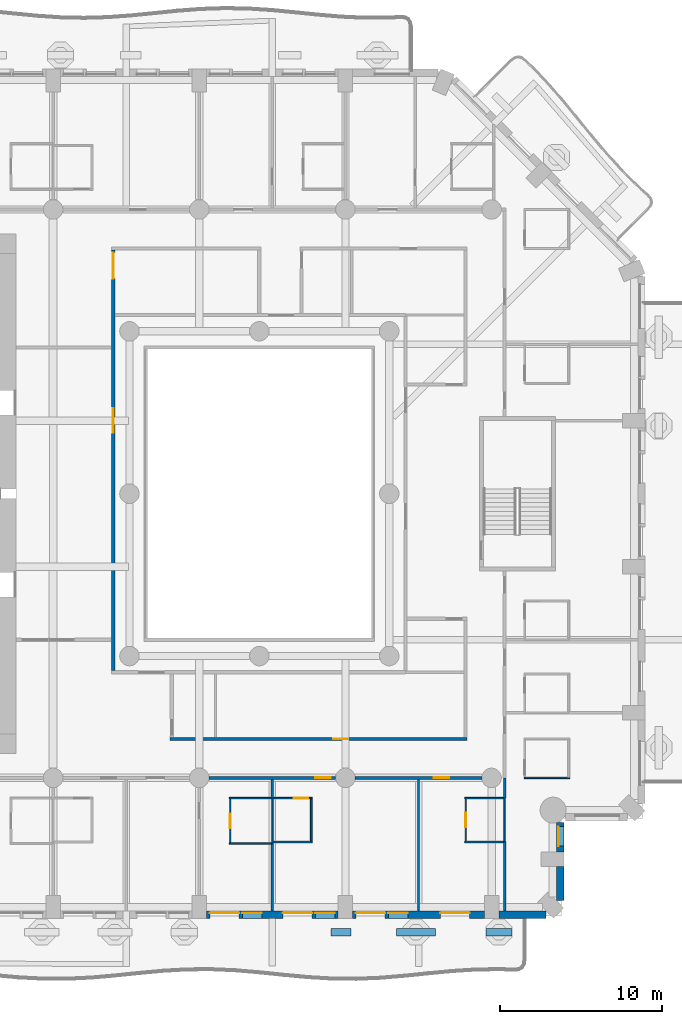
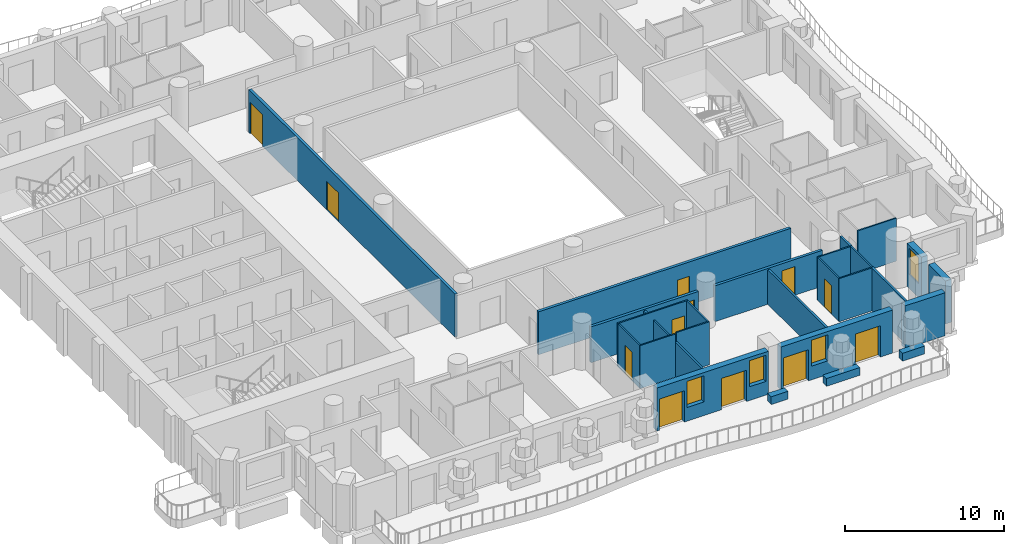
# One storey, part 5 of 20: 28 walls, 12 doors, 4 windows, 16 openings.
"""IFC4 building model written with IfcOpenShell, lengths in metres."""

import ifcopenshell
import ifcopenshell.guid

model = None  # the IFC model being written
_history = None  # IfcOwnerHistory: only IFC2X3 demands one
_inside = {}  # id of a spatial element -> (the spatial element, [elements in it])
_under = {}  # id of a project, library or spatial element -> (it, [spatial elements below it])
_declared = {}  # id of a project -> (the project, [libraries it declares])
_typed = {}  # id of a type object -> (the type object, [elements of that type])
_made_of = {}  # id of a material, layer set ... -> (it, [elements and type objects made of it])


def new_model(schema):
    """Start an empty IFC model of exactly this schema.

    Asked for "IFC4X3", IfcOpenShell would pick the latest addendum, in which some entities
    have other attributes; the version numbers below select the first issue.
    IFC2X3 requires an IfcOwnerHistory on every rooted entity: one is made here for all.
    """
    global model, _history
    if schema == "IFC4X3":
        model = ifcopenshell.file(schema_version=(4, 3, 0, 0))
    else:
        model = ifcopenshell.file(schema=schema)
    _inside.clear()
    _under.clear()
    _declared.clear()
    _typed.clear()
    _made_of.clear()
    _history = None
    if model.schema == "IFC2X3":
        org = make("IfcOrganization", Name="unknown")
        user = make(
            "IfcPersonAndOrganization",
            ThePerson=make("IfcPerson", FamilyName="unknown"),
            TheOrganization=org,
        )
        app = make(
            "IfcApplication",
            ApplicationDeveloper=org,
            Version="unknown",
            ApplicationFullName="unknown",
            ApplicationIdentifier="unknown",
        )
        _history = make(
            "IfcOwnerHistory",
            OwningUser=user,
            OwningApplication=app,
            ChangeAction="ADDED",
            CreationDate=0,
        )
    return model


def make(cls, **values):
    """One entity of the class cls with the attributes given. An attribute that is None is left unset."""
    return model.create_entity(
        cls, **{name: value for name, value in values.items() if value is not None}
    )


def rooted(cls, **values):
    """An entity with a GlobalId (a new one), such as an element, a storey or a relation."""
    return make(cls, GlobalId=ifcopenshell.guid.new(), OwnerHistory=_history, **values)


def si_unit(unit_type, name, prefix=None):
    """IfcSIUnit, for example si_unit("LENGTHUNIT", "METRE", prefix="MILLI")."""
    return make("IfcSIUnit", UnitType=unit_type, Prefix=prefix, Name=name)


def assignment(units):
    """IfcUnitAssignment: the units of a project."""
    return None if units is None else make("IfcUnitAssignment", Units=units)


def point(xyz):
    """IfcCartesianPoint."""
    return None if xyz is None else make("IfcCartesianPoint", Coordinates=xyz)


def direction(xyz):
    """IfcDirection."""
    return None if xyz is None else make("IfcDirection", DirectionRatios=xyz)


def frame(location, z_axis=None, x_axis=None):
    """IfcAxis2Placement3D, a coordinate frame: its origin and axes. An axis left out is left unset."""
    return make(
        "IfcAxis2Placement3D",
        Location=point(location),
        Axis=direction(z_axis),
        RefDirection=direction(x_axis),
    )


def frame_2d(location, x_axis=None):
    """IfcAxis2Placement2D, a coordinate frame in the plane: its origin and x axis."""
    return make(
        "IfcAxis2Placement2D", Location=point(location), RefDirection=direction(x_axis)
    )


def origin():
    """The frame at (0, 0, 0) with its axes left unset."""
    return frame((0.0, 0.0, 0.0))


def place(relative_to, where):
    """IfcLocalPlacement: puts the frame where relative to a parent placement (None: the world)."""
    return make(
        "IfcLocalPlacement", PlacementRelTo=relative_to, RelativePlacement=where
    )


def context(
    kind, dimensions, precision=None, world=None, true_north=None, identifier=None
):
    """IfcGeometricRepresentationContext, for example the 3D "Model" context."""
    return make(
        "IfcGeometricRepresentationContext",
        ContextIdentifier=identifier,
        ContextType=kind,
        CoordinateSpaceDimension=dimensions,
        Precision=precision,
        WorldCoordinateSystem=world,
        TrueNorth=true_north,
    )


def subcontext(parent, identifier, kind, view, scale=None):
    """IfcGeometricRepresentationSubContext, for example "Body" below "Model"."""
    return make(
        "IfcGeometricRepresentationSubContext",
        ContextIdentifier=identifier,
        ContextType=kind,
        ParentContext=parent,
        TargetScale=scale,
        TargetView=view,
    )


def project(units=None, contexts=None):
    """IfcProject with its units and contexts."""
    return rooted(
        "IfcProject",
        Name="project",
        RepresentationContexts=contexts,
        UnitsInContext=assignment(units),
    )


def spatial(cls, under=None, at=None, **own):
    """A site, building, storey or space (cls), placed at a placement, below another one or the project."""
    s = rooted(cls, ObjectPlacement=at, **own)
    if under is not None:
        _under.setdefault(under.id(), (under, []))[1].append(s)
    return s


def profile(cls, at=None, kind="AREA", **sizes):
    """A parametric profile (cls). Its sizes go by their IFC names, for example OverallWidth=200.0."""
    return make(cls, ProfileType=kind, Position=at, **sizes)


def rectangle(**sizes):
    """IfcRectangleProfileDef."""
    return profile("IfcRectangleProfileDef", **sizes)


def extrude(swept, where, along, depth):
    """IfcExtrudedAreaSolid: the profile swept, set in the frame where, extruded along a direction by depth."""
    return make(
        "IfcExtrudedAreaSolid",
        SweptArea=swept,
        Position=where,
        ExtrudedDirection=direction(along),
        Depth=depth,
    )


def shape(context_of_items, identifier, shape_type, items):
    """IfcShapeRepresentation: the items that make up one representation, for example the "Body"."""
    return make(
        "IfcShapeRepresentation",
        ContextOfItems=context_of_items,
        RepresentationIdentifier=identifier,
        RepresentationType=shape_type,
        Items=items,
    )


def material(Name=None, Category=None):
    """IfcMaterial."""
    return make("IfcMaterial", Name=Name, Category=Category)


def layer(
    of_material, thickness, ventilated=None, Name=None, Category=None, Priority=None
):
    """IfcMaterialLayer: one layer of a wall or slab, of a material (None: an air gap)."""
    return make(
        "IfcMaterialLayer",
        Material=of_material,
        LayerThickness=thickness,
        IsVentilated=ventilated,
        Name=Name,
        Category=Category,
        Priority=Priority,
    )


def layer_set(layers, Name=None):
    """IfcMaterialLayerSet."""
    return make("IfcMaterialLayerSet", MaterialLayers=layers, LayerSetName=Name)


def made_of(thing, what):
    """Note that an element or type object is made of a material, layer set ...; save() writes the relation."""
    if what is not None:
        _made_of.setdefault(what.id(), (what, []))[1].append(thing)
    return thing


def type_object(cls, material=None, **own):
    """A type object (cls), such as IfcWallType, which elements share."""
    return made_of(rooted(cls, **own), material)


def element(
    cls,
    number,
    at=None,
    inside=None,
    cuts=None,
    type_object=None,
    material=None,
    context=None,
    identifier="Body",
    shape_type=None,
    held_by="IfcProductDefinitionShape",
    body=None,
    shapes=None,
    **own,
):
    """One element of the class cls, such as IfcWall. Its Tag is "e" and its number.

    at: its placement. inside: the storey or other place that contains it. cuts: it is an
    opening in that element (IfcRelVoidsElement). A single representation is given by context,
    identifier, shape_type and body (its items); several are given by shapes. held_by: the class
    of the entity that holds the representations. save() writes the other relations.
    """
    e = rooted(cls, Tag="e%d" % number, ObjectPlacement=at, **own)
    if body is not None:
        shapes = [shape(context, identifier, shape_type, body)]
    if shapes is not None:
        e.Representation = make(held_by, Representations=shapes)
    if inside is not None:
        _inside.setdefault(inside.id(), (inside, []))[1].append(e)
    if cuts is not None:
        rooted(
            "IfcRelVoidsElement", RelatingBuildingElement=cuts, RelatedOpeningElement=e
        )
    if type_object is not None:
        _typed.setdefault(type_object.id(), (type_object, []))[1].append(e)
    return made_of(e, material)


def fill(opening, filler):
    """IfcRelFillsElement: the door or window that sits in an opening."""
    return rooted(
        "IfcRelFillsElement",
        RelatingOpeningElement=opening,
        RelatedBuildingElement=filler,
    )


def aggregate(whole, parts):
    """IfcRelAggregates: a whole, such as a stair, and the parts it consists of."""
    return rooted("IfcRelAggregates", RelatingObject=whole, RelatedObjects=parts)


def save(model, path):
    """Write the relations noted so far, then the file.

    IfcRelAggregates (storeys below a building ...), IfcRelContainedInSpatialStructure (elements
    in a storey), IfcRelDefinesByType, IfcRelAssociatesMaterial and IfcRelDeclares: one each for
    every whole, place, type object, material and project.
    """
    for whole, parts in _under.values():
        aggregate(whole, parts)
    for where, things in _inside.values():
        rooted(
            "IfcRelContainedInSpatialStructure",
            RelatedElements=things,
            RelatingStructure=where,
        )
    for kind, things in _typed.values():
        rooted("IfcRelDefinesByType", RelatedObjects=things, RelatingType=kind)
    for what, things in _made_of.values():
        rooted("IfcRelAssociatesMaterial", RelatedObjects=things, RelatingMaterial=what)
    for by, libraries in _declared.values():
        rooted("IfcRelDeclares", RelatingContext=by, RelatedDefinitions=libraries)
    model.write(path)


model = new_model("IFC4")

# Units and contexts
model_context = context("Model", 3, precision=1e-05, world=origin(), true_north=direction((0.0, 1.0)))
body_context = subcontext(model_context, "Body", "Model", "MODEL_VIEW")
ifc_project = project(units=[si_unit("LENGTHUNIT", "METRE"), si_unit("AREAUNIT", "SQUARE_METRE"), si_unit("VOLUMEUNIT", "CUBIC_METRE"), si_unit("PLANEANGLEUNIT", "RADIAN"), si_unit("MASSUNIT", "GRAM", prefix="KILO")], contexts=[model_context])

# Site, building, storey
site_placement = place(None, origin())
site = spatial("IfcSite", under=ifc_project, at=site_placement, CompositionType="ELEMENT")
building_placement = place(site_placement, origin())
building = spatial("IfcBuilding", under=site, at=building_placement, Name="Cypress Arch Tower", CompositionType="ELEMENT")
storey_placement = place(building_placement, frame((0.0, 0.0, 84.300048828125)))
storey = spatial("IfcBuildingStorey", under=building, at=storey_placement, Name="L15", CompositionType="ELEMENT", Elevation=84.300048828125)

# Walls
ifc_material_1 = material(Name="Concrete C40/50, waterproofed", Category="concrete")
ifc_layer_1 = layer(ifc_material_1, 0.449951171875)
ifc_layer_set_1 = layer_set([ifc_layer_1], Name="Balcony planter wall PW450")
wall_type_1 = type_object("IfcWallType", Name="Balcony planter wall PW450", PredefinedType="SOLIDWALL", material=ifc_layer_set_1)
wall_1_placement = place(storey_placement, frame((5.419921875, -27.0, 0.0), z_axis=(0.0, 0.0, 1.0), x_axis=(1.0, 0.0, 0.0)))
element("IfcWall", 1, at=wall_1_placement, inside=storey, type_object=wall_type_1, Name="Balcony planter wall L15-A03.5", PredefinedType="SOLIDWALL", context=body_context, shape_type="SweptSolid", body=[
    extrude(rectangle(XDim=1.22998046875, YDim=0.449951171875, at=frame_2d((0.614990234375, 0.0))), origin(), (0.0, 0.0, 1.0), 0.599853515625),
])
wall_2_placement = place(storey_placement, frame((9.429931640625, -27.0, 0.0), z_axis=(0.0, 0.0, 1.0), x_axis=(1.0, 0.0, 0.0)))
element("IfcWall", 2, at=wall_2_placement, inside=storey, type_object=wall_type_1, Name="Balcony planter wall L15-A03.6", PredefinedType="SOLIDWALL", context=body_context, shape_type="SweptSolid", body=[
    extrude(rectangle(XDim=2.420166015625, YDim=0.449951171875, at=frame_2d((1.2099609375, 0.0))), origin(), (0.0, 0.0, 1.0), 0.599853515625),
])
wall_3_placement = place(storey_placement, frame((14.949951171875, -27.0, 0.0), z_axis=(0.0, 0.0, 1.0), x_axis=(1.0, 0.0, 0.0)))
element("IfcWall", 3, at=wall_3_placement, inside=storey, type_object=wall_type_1, Name="Balcony planter wall L15-A03.7", PredefinedType="SOLIDWALL", context=body_context, shape_type="SweptSolid", body=[
    extrude(rectangle(XDim=1.60009765625, YDim=0.449951171875, at=frame_2d((0.800048828125, 0.0))), origin(), (0.0, 0.0, 1.0), 0.599853515625),
])

# Wall, openings, doors, windows
ifc_material_2 = material(Name="Brick (red buff blend)", Category="masonry")
ifc_layer_2 = layer(ifc_material_2, 0.449951171875)
ifc_layer_set_2 = layer_set([ifc_layer_2], Name="Brick pier and spandrel wall BW450")
wall_type_2 = type_object("IfcWallType", Name="Brick pier and spandrel wall BW450", PredefinedType="SOLIDWALL", material=ifc_layer_set_2)
wall_4_placement = place(storey_placement, frame((-2.25, -25.925048828125, 0.0), z_axis=(0.0, 0.0, 1.0), x_axis=(1.0, 0.0, 0.0)))
wall_4 = element("IfcWall", 4, at=wall_4_placement, inside=storey, type_object=wall_type_2, Name="Brick wall L15 A03.3", PredefinedType="SOLIDWALL", context=body_context, shape_type="SweptSolid", body=[
    extrude(rectangle(XDim=8.10009765625, YDim=0.449951171875, at=frame_2d((4.050048828125, 0.0))), origin(), (0.0, 0.0, 1.0), 3.300048828125),
])
opening_1_placement = place(wall_4_placement, frame((0.199951171875, 0.0, 0.0)))
opening_1 = element("IfcOpeningElement", 5, at=opening_1_placement, cuts=wall_4, Name="Opening D-L15-A03.3.1", PredefinedType="OPENING", context=body_context, shape_type="SweptSolid", body=[
    extrude(rectangle(XDim=1.800048828125, YDim=2.39990234375, at=frame_2d((0.89990234375, 1.199951171875))), frame((0.0, 0.23486328125, 0.0), z_axis=(0.0, -1.0, 0.0), x_axis=(1.0, 0.0, 0.0)), (0.0, 0.0, 1.0), 0.469970703125),
])
opening_2_placement = place(wall_4_placement, frame((2.199951171875, 0.0, 1.050048828125)))
opening_2 = element("IfcOpeningElement", 6, at=opening_2_placement, cuts=wall_4, Name="Opening W120HD", PredefinedType="OPENING", context=body_context, shape_type="SweptSolid", body=[
    extrude(rectangle(XDim=1.199951171875, YDim=2.0, at=frame_2d((0.60009765625, 1.0))), frame((0.0, 0.23486328125, 0.0), z_axis=(0.0, -1.0, 0.0), x_axis=(1.0, 0.0, 0.0)), (0.0, 0.0, 1.0), 0.469970703125),
])
opening_3_placement = place(wall_4_placement, frame((4.699951171875, 0.0, 0.0)))
opening_3 = element("IfcOpeningElement", 7, at=opening_3_placement, cuts=wall_4, Name="Opening D-L15-A03.3.2", PredefinedType="OPENING", context=body_context, shape_type="SweptSolid", body=[
    extrude(rectangle(XDim=1.800048828125, YDim=2.39990234375, at=frame_2d((0.89990234375, 1.199951171875))), frame((0.0, 0.23486328125, 0.0), z_axis=(0.0, -1.0, 0.0), x_axis=(1.0, 0.0, 0.0)), (0.0, 0.0, 1.0), 0.469970703125),
])
opening_4_placement = place(wall_4_placement, frame((6.699951171875, 0.0, 1.050048828125)))
opening_4 = element("IfcOpeningElement", 8, at=opening_4_placement, cuts=wall_4, Name="Opening W120HD", PredefinedType="OPENING", context=body_context, shape_type="SweptSolid", body=[
    extrude(rectangle(XDim=1.199951171875, YDim=2.0, at=frame_2d((0.60009765625, 1.0))), frame((0.0, 0.23486328125, 0.0), z_axis=(0.0, -1.0, 0.0), x_axis=(1.0, 0.0, 0.0)), (0.0, 0.0, 1.0), 0.469970703125),
])
ifc_material_3 = material(Name="Anodised aluminium, bronze finish, laminated low-emissivity double glazing, large-missile impact rated", Category="aluminium")
door_type_1 = type_object("IfcDoorType", Name="Balcony sliding door 1800x2400", OperationType="SLIDING_TO_LEFT", PredefinedType="DOOR", material=ifc_material_3)
door_1_placement = place(opening_1_placement, origin())
door_1 = element("IfcDoor", 9, at=door_1_placement, inside=storey, type_object=door_type_1, Name="Balcony door L15 A03.3.1", OperationType="SLIDING_TO_LEFT", OverallHeight=2.39990234375, OverallWidth=1.800048828125, PredefinedType="DOOR", context=body_context, shape_type="SweptSolid", body=[
    extrude(rectangle(XDim=1.800048828125, YDim=2.39990234375, at=frame_2d((0.89990234375, 1.199951171875))), frame((0.0, 0.1298828125, 0.0), z_axis=(0.0, -1.0, 0.0), x_axis=(1.0, 0.0, 0.0)), (0.0, 0.0, 1.0), 0.050048828125),
])
fill(opening_1, door_1)
door_2_placement = place(opening_3_placement, origin())
door_2 = element("IfcDoor", 10, at=door_2_placement, inside=storey, type_object=door_type_1, Name="Balcony door L15 A03.3.2", OperationType="SLIDING_TO_LEFT", OverallHeight=2.39990234375, OverallWidth=1.800048828125, PredefinedType="DOOR", context=body_context, shape_type="SweptSolid", body=[
    extrude(rectangle(XDim=1.800048828125, YDim=2.39990234375, at=frame_2d((0.89990234375, 1.199951171875))), frame((0.0, 0.1298828125, 0.0), z_axis=(0.0, -1.0, 0.0), x_axis=(1.0, 0.0, 0.0)), (0.0, 0.0, 1.0), 0.050048828125),
])
fill(opening_3, door_2)
ifc_material_4 = material(Name="Anodised aluminium, bronze finish, laminated low-emissivity double glazing, large-missile impact rated", Category="aluminium")
window_type_1 = type_object("IfcWindowType", Name="Window Hotel 1200x2000 debris-rated", PartitioningType="SINGLE_PANEL", PredefinedType="WINDOW", material=ifc_material_4)
window_1_placement = place(opening_2_placement, origin())
window_1 = element("IfcWindow", 11, at=window_1_placement, inside=storey, type_object=window_type_1, Name="Window L15 A03.3.1", OverallHeight=2.0, OverallWidth=1.199951171875, PartitioningType="SINGLE_PANEL", PredefinedType="WINDOW", context=body_context, shape_type="SweptSolid", body=[
    extrude(rectangle(XDim=1.199951171875, YDim=2.0, at=frame_2d((0.60009765625, 1.0))), frame((0.0, 0.135009765625, 0.0), z_axis=(0.0, -1.0, 0.0), x_axis=(1.0, 0.0, 0.0)), (0.0, 0.0, 1.0), 0.06005859375),
])
fill(opening_2, window_1)
window_2_placement = place(opening_4_placement, origin())
window_2 = element("IfcWindow", 12, at=window_2_placement, inside=storey, type_object=window_type_1, Name="Window L15 A03.3.2", OverallHeight=2.0, OverallWidth=1.199951171875, PartitioningType="SINGLE_PANEL", PredefinedType="WINDOW", context=body_context, shape_type="SweptSolid", body=[
    extrude(rectangle(XDim=1.199951171875, YDim=2.0, at=frame_2d((0.60009765625, 1.0))), frame((0.0, 0.135009765625, 0.0), z_axis=(0.0, -1.0, 0.0), x_axis=(1.0, 0.0, 0.0)), (0.0, 0.0, 1.0), 0.06005859375),
])
fill(opening_4, window_2)

# Wall, openings, doors, window
wall_5_placement = place(storey_placement, frame((6.75, -25.925048828125, 0.0), z_axis=(0.0, 0.0, 1.0), x_axis=(1.0, 0.0, 0.0)))
wall_5 = element("IfcWall", 13, at=wall_5_placement, inside=storey, type_object=wall_type_2, Name="Brick wall L15 A03.4", PredefinedType="SOLIDWALL", context=body_context, shape_type="SweptSolid", body=[
    extrude(rectangle(XDim=8.10009765625, YDim=0.449951171875, at=frame_2d((4.050048828125, 0.0))), origin(), (0.0, 0.0, 1.0), 3.300048828125),
])
opening_5_placement = place(wall_5_placement, frame((0.199951171875, 0.0, 0.0)))
opening_5 = element("IfcOpeningElement", 14, at=opening_5_placement, cuts=wall_5, Name="Opening D-L15-A03.4.1", PredefinedType="OPENING", context=body_context, shape_type="SweptSolid", body=[
    extrude(rectangle(XDim=1.800048828125, YDim=2.39990234375, at=frame_2d((0.89990234375, 1.199951171875))), frame((0.0, 0.23486328125, 0.0), z_axis=(0.0, -1.0, 0.0), x_axis=(1.0, 0.0, 0.0)), (0.0, 0.0, 1.0), 0.469970703125),
])
opening_6_placement = place(wall_5_placement, frame((2.199951171875, 0.0, 1.050048828125)))
opening_6 = element("IfcOpeningElement", 15, at=opening_6_placement, cuts=wall_5, Name="Opening W120HD", PredefinedType="OPENING", context=body_context, shape_type="SweptSolid", body=[
    extrude(rectangle(XDim=1.199951171875, YDim=2.0, at=frame_2d((0.60009765625, 1.0))), frame((0.0, 0.23486328125, 0.0), z_axis=(0.0, -1.0, 0.0), x_axis=(1.0, 0.0, 0.0)), (0.0, 0.0, 1.0), 0.469970703125),
])
opening_7_placement = place(wall_5_placement, frame((5.39990234375, 0.0, 0.0)))
opening_7 = element("IfcOpeningElement", 16, at=opening_7_placement, cuts=wall_5, Name="Opening D-L15-A03.4.2", PredefinedType="OPENING", context=body_context, shape_type="SweptSolid", body=[
    extrude(rectangle(XDim=1.800048828125, YDim=2.39990234375, at=frame_2d((0.89990234375, 1.199951171875))), frame((0.0, 0.23486328125, 0.0), z_axis=(0.0, -1.0, 0.0), x_axis=(1.0, 0.0, 0.0)), (0.0, 0.0, 1.0), 0.469970703125),
])
door_3_placement = place(opening_5_placement, origin())
door_3 = element("IfcDoor", 17, at=door_3_placement, inside=storey, type_object=door_type_1, Name="Balcony door L15 A03.4.1", OperationType="SLIDING_TO_LEFT", OverallHeight=2.39990234375, OverallWidth=1.800048828125, PredefinedType="DOOR", context=body_context, shape_type="SweptSolid", body=[
    extrude(rectangle(XDim=1.800048828125, YDim=2.39990234375, at=frame_2d((0.89990234375, 1.199951171875))), frame((0.0, 0.1298828125, 0.0), z_axis=(0.0, -1.0, 0.0), x_axis=(1.0, 0.0, 0.0)), (0.0, 0.0, 1.0), 0.050048828125),
])
fill(opening_5, door_3)
door_4_placement = place(opening_7_placement, origin())
door_4 = element("IfcDoor", 18, at=door_4_placement, inside=storey, type_object=door_type_1, Name="Balcony door L15 A03.4.2", OperationType="SLIDING_TO_LEFT", OverallHeight=2.39990234375, OverallWidth=1.800048828125, PredefinedType="DOOR", context=body_context, shape_type="SweptSolid", body=[
    extrude(rectangle(XDim=1.800048828125, YDim=2.39990234375, at=frame_2d((0.89990234375, 1.199951171875))), frame((0.0, 0.1298828125, 0.0), z_axis=(0.0, -1.0, 0.0), x_axis=(1.0, 0.0, 0.0)), (0.0, 0.0, 1.0), 0.050048828125),
])
fill(opening_7, door_4)
window_3_placement = place(opening_6_placement, origin())
window_3 = element("IfcWindow", 19, at=window_3_placement, inside=storey, type_object=window_type_1, Name="Window L15 A03.4.1", OverallHeight=2.0, OverallWidth=1.199951171875, PartitioningType="SINGLE_PANEL", PredefinedType="WINDOW", context=body_context, shape_type="SweptSolid", body=[
    extrude(rectangle(XDim=1.199951171875, YDim=2.0, at=frame_2d((0.60009765625, 1.0))), frame((0.0, 0.135009765625, 0.0), z_axis=(0.0, -1.0, 0.0), x_axis=(1.0, 0.0, 0.0)), (0.0, 0.0, 1.0), 0.06005859375),
])
fill(opening_6, window_3)

# Walls
wall_6_placement = place(storey_placement, frame((15.75, -25.925048828125, 0.0), z_axis=(0.0, 0.0, 1.0), x_axis=(1.0, 0.0, 0.0)))
element("IfcWall", 20, at=wall_6_placement, inside=storey, type_object=wall_type_2, Name="Brick wall L15 A03.5", PredefinedType="SOLIDWALL", context=body_context, shape_type="SweptSolid", body=[
    extrude(rectangle(XDim=2.91357421875, YDim=0.449951171875, at=frame_2d((1.456787109375, 0.0))), origin(), (0.0, 0.0, 1.0), 3.300048828125),
])
wall_7_placement = place(storey_placement, frame((19.52490234375, -25.063720703125, 0.0), z_axis=(0.0, 0.0, 1.0), x_axis=(0.0, 1.0, 0.0)))
element("IfcWall", 21, at=wall_7_placement, inside=storey, type_object=wall_type_2, Name="Brick wall L15 A04.0", PredefinedType="SOLIDWALL", context=body_context, shape_type="SweptSolid", body=[
    extrude(rectangle(XDim=2.11376953125, YDim=0.449951171875, at=frame_2d((1.056884765625, 0.0))), origin(), (0.0, 0.0, 1.0), 3.300048828125),
])

# Wall, opening, window
wall_8_placement = place(storey_placement, frame((19.52490234375, -22.050048828125, 0.0), z_axis=(0.0, 0.0, 1.0), x_axis=(0.0, 1.0, 0.0)))
wall_8 = element("IfcWall", 22, at=wall_8_placement, inside=storey, type_object=wall_type_2, Name="Brick wall L15 A04.1", PredefinedType="SOLIDWALL", context=body_context, shape_type="SweptSolid", body=[
    extrude(rectangle(XDim=1.79150390625, YDim=0.449951171875, at=frame_2d((0.895751953125, 0.0))), origin(), (0.0, 0.0, 1.0), 3.300048828125),
])
opening_8_placement = place(wall_8_placement, frame((0.35009765625, 0.0, 1.050048828125)))
opening_8 = element("IfcOpeningElement", 23, at=opening_8_placement, cuts=wall_8, Name="Opening W120H", PredefinedType="OPENING", context=body_context, shape_type="SweptSolid", body=[
    extrude(rectangle(XDim=1.199951171875, YDim=2.0, at=frame_2d((0.60009765625, 1.0))), frame((0.0, 0.23486328125, 0.0), z_axis=(0.0, -1.0, 0.0), x_axis=(1.0, 0.0, 0.0)), (0.0, 0.0, 1.0), 0.469970703125),
])
ifc_material_5 = material(Name="Anodised aluminium, bronze finish, clear low-emissivity double glazing", Category="aluminium")
window_type_2 = type_object("IfcWindowType", Name="Window Hotel 1200x2000", PartitioningType="SINGLE_PANEL", PredefinedType="WINDOW", material=ifc_material_5)
window_4_placement = place(opening_8_placement, origin())
window_4 = element("IfcWindow", 24, at=window_4_placement, inside=storey, type_object=window_type_2, Name="Window L15 A04.1.1", OverallHeight=2.0, OverallWidth=1.199951171875, PartitioningType="SINGLE_PANEL", PredefinedType="WINDOW", context=body_context, shape_type="SweptSolid", body=[
    extrude(rectangle(XDim=1.199951171875, YDim=2.0, at=frame_2d((0.60009765625, 1.0))), frame((0.0, 0.135009765625, 0.0), z_axis=(0.0, -1.0, 0.0), x_axis=(1.0, 0.0, 0.0)), (0.0, 0.0, 1.0), 0.06005859375),
])
fill(opening_8, window_4)

# Wall, opening, door
ifc_material_6 = material(Name="Concrete blockwork, plastered, rated", Category="masonry")
ifc_layer_3 = layer(ifc_material_6, 0.199951171875)
ifc_layer_set_3 = layer_set([ifc_layer_3], Name="Corridor wall FW200")
wall_type_3 = type_object("IfcWallType", Name="Corridor wall FW200", PredefinedType="PARTITIONING", material=ifc_layer_set_3)
wall_9_placement = place(storey_placement, frame((-2.10009765625, -17.5, 0.0), z_axis=(0.0, 0.0, 1.0), x_axis=(1.0, 0.0, 0.0)))
wall_9 = element("IfcWall", 25, at=wall_9_placement, inside=storey, type_object=wall_type_3, Name="Corridor wall", PredefinedType="PARTITIONING", context=body_context, shape_type="SweptSolid", body=[
    extrude(rectangle(XDim=7.800048828125, YDim=0.199951171875, at=frame_2d((3.89990234375, 0.0))), origin(), (0.0, 0.0, 1.0), 2.75),
])
opening_9_placement = place(wall_9_placement, frame((6.550048828125, 0.0, 0.0)))
opening_9 = element("IfcOpeningElement", 26, at=opening_9_placement, cuts=wall_9, Name="Opening D02", PredefinedType="OPENING", context=body_context, shape_type="SweptSolid", body=[
    extrude(rectangle(XDim=0.949951171875, YDim=2.199951171875, at=frame_2d((0.47509765625, 1.10009765625))), frame((0.0, 0.10986328125, 0.0), z_axis=(0.0, -1.0, 0.0), x_axis=(1.0, 0.0, 0.0)), (0.0, 0.0, 1.0), 0.219970703125),
])
ifc_material_7 = material(Name="Timber flush door, fire resisting", Category="wood")
door_type_2 = type_object("IfcDoorType", Name="Room door D02 950x2200", OperationType="SINGLE_SWING_LEFT", PredefinedType="DOOR", material=ifc_material_7)
door_5_placement = place(opening_9_placement, origin())
door_5 = element("IfcDoor", 27, at=door_5_placement, inside=storey, type_object=door_type_2, Name="Room door", OperationType="SINGLE_SWING_LEFT", OverallHeight=2.199951171875, OverallWidth=0.949951171875, PredefinedType="DOOR", context=body_context, shape_type="SweptSolid", body=[
    extrude(rectangle(XDim=0.949951171875, YDim=2.199951171875, at=frame_2d((0.47509765625, 1.10009765625))), frame((0.0, 0.02490234375, 0.0), z_axis=(0.0, -1.0, 0.0), x_axis=(1.0, 0.0, 0.0)), (0.0, 0.0, 1.0), 0.050048828125),
])
fill(opening_9, door_5)

wall_10_placement = place(storey_placement, frame((6.89990234375, -17.5, 0.0), z_axis=(0.0, 0.0, 1.0), x_axis=(1.0, 0.0, 0.0)))
wall_10 = element("IfcWall", 28, at=wall_10_placement, inside=storey, type_object=wall_type_3, Name="Corridor wall", PredefinedType="PARTITIONING", context=body_context, shape_type="SweptSolid", body=[
    extrude(rectangle(XDim=7.800048828125, YDim=0.199951171875, at=frame_2d((3.89990234375, 0.0))), origin(), (0.0, 0.0, 1.0), 2.75),
])
opening_10_placement = place(wall_10_placement, frame((4.85009765625, 0.0, 0.0)))
opening_10 = element("IfcOpeningElement", 29, at=opening_10_placement, cuts=wall_10, Name="Opening D02", PredefinedType="OPENING", context=body_context, shape_type="SweptSolid", body=[
    extrude(rectangle(XDim=0.949951171875, YDim=2.199951171875, at=frame_2d((0.47509765625, 1.10009765625))), frame((0.0, 0.10986328125, 0.0), z_axis=(0.0, -1.0, 0.0), x_axis=(1.0, 0.0, 0.0)), (0.0, 0.0, 1.0), 0.219970703125),
])
door_6_placement = place(opening_10_placement, origin())
door_6 = element("IfcDoor", 30, at=door_6_placement, inside=storey, type_object=door_type_2, Name="Room door", OperationType="SINGLE_SWING_RIGHT", OverallHeight=2.199951171875, OverallWidth=0.949951171875, PredefinedType="DOOR", context=body_context, shape_type="SweptSolid", body=[
    extrude(rectangle(XDim=0.949951171875, YDim=2.199951171875, at=frame_2d((0.47509765625, 1.10009765625))), frame((0.0, 0.02490234375, 0.0), z_axis=(0.0, -1.0, 0.0), x_axis=(1.0, 0.0, 0.0)), (0.0, 0.0, 1.0), 0.050048828125),
])
fill(opening_10, door_6)

# Wall, openings, doors
wall_11_placement = place(storey_placement, frame((-8.0, -10.89990234375, 0.0), z_axis=(0.0, 0.0, 1.0), x_axis=(0.0, 1.0, 0.0)))
wall_11 = element("IfcWall", 31, at=wall_11_placement, inside=storey, type_object=wall_type_3, Name="Corridor wall", PredefinedType="PARTITIONING", context=body_context, shape_type="SweptSolid", body=[
    extrude(rectangle(XDim=25.89990234375, YDim=0.199951171875, at=frame_2d((12.949951171875, 0.0))), origin(), (0.0, 0.0, 1.0), 3.300048828125),
])
opening_11_placement = place(wall_11_placement, frame((14.64990234375, 0.0, 0.0)))
opening_11 = element("IfcOpeningElement", 32, at=opening_11_placement, cuts=wall_11, Name="Opening D04", PredefinedType="OPENING", context=body_context, shape_type="SweptSolid", body=[
    extrude(rectangle(XDim=1.5, YDim=2.199951171875, at=frame_2d((0.75, 1.10009765625))), frame((0.0, 0.10986328125, 0.0), z_axis=(0.0, -1.0, 0.0), x_axis=(1.0, 0.0, 0.0)), (0.0, 0.0, 1.0), 0.219970703125),
])
opening_12_placement = place(wall_11_placement, frame((24.14990234375, 0.0, 0.0)))
opening_12 = element("IfcOpeningElement", 33, at=opening_12_placement, cuts=wall_11, Name="Opening D10", PredefinedType="OPENING", context=body_context, shape_type="SweptSolid", body=[
    extrude(rectangle(XDim=1.60009765625, YDim=2.39990234375, at=frame_2d((0.800048828125, 1.199951171875))), frame((0.0, 0.10986328125, 0.0), z_axis=(0.0, -1.0, 0.0), x_axis=(1.0, 0.0, 0.0)), (0.0, 0.0, 1.0), 0.219970703125),
])
ifc_material_8 = material(Name="Black aluminium glazed door", Category="aluminium")
door_type_3 = type_object("IfcDoorType", Name="Amenity door D10 1600x2400", OperationType="DOUBLE_DOOR_SINGLE_SWING", PredefinedType="DOOR", material=ifc_material_8)
door_7_placement = place(opening_12_placement, origin())
door_7 = element("IfcDoor", 34, at=door_7_placement, inside=storey, type_object=door_type_3, Name="Amenity door", OperationType="DOUBLE_DOOR_SINGLE_SWING", OverallHeight=2.39990234375, OverallWidth=1.60009765625, PredefinedType="DOOR", context=body_context, shape_type="SweptSolid", body=[
    extrude(rectangle(XDim=1.60009765625, YDim=2.39990234375, at=frame_2d((0.800048828125, 1.199951171875))), frame((0.0, 0.02490234375, 0.0), z_axis=(0.0, -1.0, 0.0), x_axis=(1.0, 0.0, 0.0)), (0.0, 0.0, 1.0), 0.050048828125),
])
fill(opening_12, door_7)
ifc_material_9 = material(Name="Timber double door", Category="wood")
door_type_4 = type_object("IfcDoorType", Name="Double door D04 1500x2200", OperationType="DOUBLE_DOOR_SINGLE_SWING", PredefinedType="DOOR", material=ifc_material_9)
door_8_placement = place(opening_11_placement, origin())
door_8 = element("IfcDoor", 35, at=door_8_placement, inside=storey, type_object=door_type_4, Name="Double door", OperationType="DOUBLE_DOOR_SINGLE_SWING", OverallHeight=2.199951171875, OverallWidth=1.5, PredefinedType="DOOR", context=body_context, shape_type="SweptSolid", body=[
    extrude(rectangle(XDim=1.5, YDim=2.199951171875, at=frame_2d((0.75, 1.10009765625))), frame((0.0, 0.02490234375, 0.0), z_axis=(0.0, -1.0, 0.0), x_axis=(1.0, 0.0, 0.0)), (0.0, 0.0, 1.0), 0.050048828125),
])
fill(opening_11, door_8)

# Wall, opening, door
wall_12_placement = place(storey_placement, frame((-4.5, -15.10009765625, 0.0), z_axis=(0.0, 0.0, 1.0), x_axis=(1.0, 0.0, 0.0)))
wall_12 = element("IfcWall", 36, at=wall_12_placement, inside=storey, type_object=wall_type_3, Name="Corridor wall", PredefinedType="PARTITIONING", context=body_context, shape_type="SweptSolid", body=[
    extrude(rectangle(XDim=18.300048828125, YDim=0.199951171875, at=frame_2d((9.14990234375, 0.0))), origin(), (0.0, 0.0, 1.0), 3.300048828125),
])
opening_13_placement = place(wall_12_placement, frame((10.050048828125, 0.0, 0.0)))
opening_13 = element("IfcOpeningElement", 37, at=opening_13_placement, cuts=wall_12, Name="Opening D05", PredefinedType="OPENING", context=body_context, shape_type="SweptSolid", body=[
    extrude(rectangle(XDim=0.89990234375, YDim=2.199951171875, at=frame_2d((0.449951171875, 1.10009765625))), frame((0.0, 0.10986328125, 0.0), z_axis=(0.0, -1.0, 0.0), x_axis=(1.0, 0.0, 0.0)), (0.0, 0.0, 1.0), 0.219970703125),
])
ifc_material_10 = material(Name="Timber flush door", Category="wood")
door_type_5 = type_object("IfcDoorType", Name="Service door D05 900x2200", OperationType="SINGLE_SWING_LEFT", PredefinedType="DOOR", material=ifc_material_10)
door_9_placement = place(opening_13_placement, origin())
door_9 = element("IfcDoor", 38, at=door_9_placement, inside=storey, type_object=door_type_5, Name="Service door", OperationType="SINGLE_SWING_RIGHT", OverallHeight=2.199951171875, OverallWidth=0.89990234375, PredefinedType="DOOR", context=body_context, shape_type="SweptSolid", body=[
    extrude(rectangle(XDim=0.89990234375, YDim=2.199951171875, at=frame_2d((0.449951171875, 1.10009765625))), frame((0.0, 0.02490234375, 0.0), z_axis=(0.0, -1.0, 0.0), x_axis=(1.0, 0.0, 0.0)), (0.0, 0.0, 1.0), 0.050048828125),
])
fill(opening_13, door_9)

# Walls
ifc_material_11 = material(Name="Blockwork, plastered both sides", Category="masonry")
ifc_layer_4 = layer(ifc_material_11, 0.14990234375)
ifc_layer_set_4 = layer_set([ifc_layer_4], Name="Partition PW150")
wall_type_4 = type_object("IfcWallType", Name="Partition PW150", PredefinedType="PARTITIONING", material=ifc_layer_set_4)
wall_13_placement = place(storey_placement, frame((1.800048828125, -25.699951171875, 0.0), z_axis=(0.0, 0.0, 1.0), x_axis=(0.0, 1.0, 0.0)))
element("IfcWall", 39, at=wall_13_placement, inside=storey, type_object=wall_type_4, Name="Partition", PredefinedType="PARTITIONING", context=body_context, shape_type="SweptSolid", body=[
    extrude(rectangle(XDim=4.14990234375, YDim=0.14990234375, at=frame_2d((2.074951171875, 0.0))), origin(), (0.0, 0.0, 1.0), 2.64990234375),
])
wall_14_placement = place(storey_placement, frame((1.800048828125, -18.72998046875, 0.0), z_axis=(0.0, 0.0, 1.0), x_axis=(0.0, 1.0, 0.0)))
element("IfcWall", 40, at=wall_14_placement, inside=storey, type_object=wall_type_4, Name="Partition", PredefinedType="PARTITIONING", context=body_context, shape_type="SweptSolid", body=[
    extrude(rectangle(XDim=1.1298828125, YDim=0.14990234375, at=frame_2d((0.56494140625, 0.0))), origin(), (0.0, 0.0, 1.0), 2.64990234375),
])
wall_15_placement = place(storey_placement, frame((10.800048828125, -25.699951171875, 0.0), z_axis=(0.0, 0.0, 1.0), x_axis=(0.0, 1.0, 0.0)))
element("IfcWall", 41, at=wall_15_placement, inside=storey, type_object=wall_type_4, Name="Partition", PredefinedType="PARTITIONING", context=body_context, shape_type="SweptSolid", body=[
    extrude(rectangle(XDim=8.099853515625, YDim=0.14990234375, at=frame_2d((4.0498046875, 0.0))), origin(), (0.0, 0.0, 1.0), 2.64990234375),
])
wall_16_placement = place(storey_placement, frame((16.10009765625, -25.699951171875, 0.0), z_axis=(0.0, 0.0, 1.0), x_axis=(0.0, 1.0, 0.0)))
element("IfcWall", 42, at=wall_16_placement, inside=storey, type_object=wall_type_4, Name="Partition", PredefinedType="PARTITIONING", context=body_context, shape_type="SweptSolid", body=[
    extrude(rectangle(XDim=4.27001953125, YDim=0.14990234375, at=frame_2d((2.135009765625, 0.0))), origin(), (0.0, 0.0, 1.0), 3.300048828125),
])
wall_17_placement = place(storey_placement, frame((16.10009765625, -18.72998046875, 0.0), z_axis=(0.0, 0.0, 1.0), x_axis=(0.0, 1.0, 0.0)))
element("IfcWall", 43, at=wall_17_placement, inside=storey, type_object=wall_type_4, Name="Partition", PredefinedType="PARTITIONING", context=body_context, shape_type="SweptSolid", body=[
    extrude(rectangle(XDim=1.22998046875, YDim=0.14990234375, at=frame_2d((0.614990234375, 0.0))), origin(), (0.0, 0.0, 1.0), 3.300048828125),
])

# Wall, opening, door
ifc_material_12 = material(Name="Moisture resistant board on steel studs, tiled", Category="steel")
ifc_layer_5 = layer(ifc_material_12, 0.10009765625)
ifc_layer_set_5 = layer_set([ifc_layer_5], Name="Wet wall PW100")
wall_type_5 = type_object("IfcWallType", Name="Wet wall PW100", PredefinedType="PARTITIONING", material=ifc_layer_set_5)
wall_18_placement = place(storey_placement, frame((-0.7958984375, -21.5, 0.0), z_axis=(0.0, 0.0, 1.0), x_axis=(0.0, 1.0, 0.0)))
wall_18 = element("IfcWall", 44, at=wall_18_placement, inside=storey, type_object=wall_type_5, Name="Wet wall", PredefinedType="PARTITIONING", context=body_context, shape_type="SweptSolid", body=[
    extrude(rectangle(XDim=2.699951171875, YDim=0.10009765625, at=frame_2d((1.35009765625, 0.0))), origin(), (0.0, 0.0, 1.0), 3.300048828125),
])
opening_14_placement = place(wall_18_placement, frame((0.89990234375, 0.0, 0.0)))
opening_14 = element("IfcOpeningElement", 45, at=opening_14_placement, cuts=wall_18, Name="Opening D03", PredefinedType="OPENING", context=body_context, shape_type="SweptSolid", body=[
    extrude(rectangle(XDim=0.89990234375, YDim=2.199951171875, at=frame_2d((0.449951171875, 1.10009765625))), frame((0.0, 0.06005859375, 0.0), z_axis=(0.0, -1.0, 0.0), x_axis=(1.0, 0.0, 0.0)), (0.0, 0.0, 1.0), 0.1201171875),
])
ifc_material_13 = material(Name="Timber flush door, moisture resistant", Category="wood")
door_type_6 = type_object("IfcDoorType", Name="Bathroom door D03 900x2200", OperationType="SINGLE_SWING_LEFT", PredefinedType="DOOR", material=ifc_material_13)
door_10_placement = place(opening_14_placement, origin())
door_10 = element("IfcDoor", 46, at=door_10_placement, inside=storey, type_object=door_type_6, Name="Bathroom door", OperationType="SINGLE_SWING_LEFT", OverallHeight=2.199951171875, OverallWidth=0.89990234375, PredefinedType="DOOR", context=body_context, shape_type="SweptSolid", body=[
    extrude(rectangle(XDim=0.89990234375, YDim=2.199951171875, at=frame_2d((0.449951171875, 1.10009765625))), frame((0.0, 0.02490234375, 0.0), z_axis=(0.0, -1.0, 0.0), x_axis=(1.0, 0.0, 0.0)), (0.0, 0.0, 1.0), 0.050048828125),
])
fill(opening_14, door_10)

# Wall
wall_19_placement = place(storey_placement, frame((-0.845947265625, -21.550048828125, 0.0), z_axis=(0.0, 0.0, 1.0), x_axis=(1.0, 0.0, 0.0)))
element("IfcWall", 47, at=wall_19_placement, inside=storey, type_object=wall_type_5, Name="Wet wall", PredefinedType="PARTITIONING", context=body_context, shape_type="SweptSolid", body=[
    extrude(rectangle(XDim=2.571044921875, YDim=0.10009765625, at=frame_2d((1.28564453125, 0.0))), origin(), (0.0, 0.0, 1.0), 3.300048828125),
])

# Wall, opening, door
wall_20_placement = place(storey_placement, frame((-0.845947265625, -18.75, 0.0), z_axis=(0.0, 0.0, 1.0), x_axis=(1.0, 0.0, 0.0)))
wall_20 = element("IfcWall", 48, at=wall_20_placement, inside=storey, type_object=wall_type_5, Name="Wet wall", PredefinedType="PARTITIONING", context=body_context, shape_type="SweptSolid", body=[
    extrude(rectangle(XDim=5.092041015625, YDim=0.10009765625, at=frame_2d((2.5458984375, 0.0))), origin(), (0.0, 0.0, 1.0), 3.300048828125),
])
opening_15_placement = place(wall_20_placement, frame((3.949951171875, 0.0, 0.0)))
opening_15 = element("IfcOpeningElement", 49, at=opening_15_placement, cuts=wall_20, Name="Opening D03", PredefinedType="OPENING", context=body_context, shape_type="SweptSolid", body=[
    extrude(rectangle(XDim=0.89990234375, YDim=2.199951171875, at=frame_2d((0.449951171875, 1.10009765625))), frame((0.0, 0.06005859375, 0.0), z_axis=(0.0, -1.0, 0.0), x_axis=(1.0, 0.0, 0.0)), (0.0, 0.0, 1.0), 0.1201171875),
])
door_11_placement = place(opening_15_placement, origin())
door_11 = element("IfcDoor", 50, at=door_11_placement, inside=storey, type_object=door_type_6, Name="Bathroom door", OperationType="SINGLE_SWING_LEFT", OverallHeight=2.199951171875, OverallWidth=0.89990234375, PredefinedType="DOOR", context=body_context, shape_type="SweptSolid", body=[
    extrude(rectangle(XDim=0.89990234375, YDim=2.199951171875, at=frame_2d((0.449951171875, 1.10009765625))), frame((0.0, 0.02490234375, 0.0), z_axis=(0.0, -1.0, 0.0), x_axis=(1.0, 0.0, 0.0)), (0.0, 0.0, 1.0), 0.050048828125),
])
fill(opening_15, door_11)

# Walls
wall_21_placement = place(storey_placement, frame((1.800048828125, -21.550048828125, 0.0), z_axis=(0.0, 0.0, 1.0), x_axis=(0.0, 1.0, 0.0)))
element("IfcWall", 51, at=wall_21_placement, inside=storey, type_object=wall_type_5, Name="Wet wall", PredefinedType="PARTITIONING", context=body_context, shape_type="SweptSolid", body=[
    extrude(rectangle(XDim=2.820068359375, YDim=0.10009765625, at=frame_2d((1.41015625, 0.0))), origin(), (0.0, 0.0, 1.0), 2.64990234375),
])
wall_22_placement = place(storey_placement, frame((1.85009765625, -21.449951171875, 0.0), z_axis=(0.0, 0.0, 1.0), x_axis=(1.0, 0.0, 0.0)))
element("IfcWall", 52, at=wall_22_placement, inside=storey, type_object=wall_type_5, Name="Wet wall", PredefinedType="PARTITIONING", context=body_context, shape_type="SweptSolid", body=[
    extrude(rectangle(XDim=2.39599609375, YDim=0.10009765625, at=frame_2d((1.197998046875, 0.0))), origin(), (0.0, 0.0, 1.0), 3.300048828125),
])
wall_23_placement = place(storey_placement, frame((4.196044921875, -21.39990234375, 0.0), z_axis=(0.0, 0.0, 1.0), x_axis=(0.0, 1.0, 0.0)))
element("IfcWall", 53, at=wall_23_placement, inside=storey, type_object=wall_type_5, Name="Wet wall", PredefinedType="PARTITIONING", context=body_context, shape_type="SweptSolid", body=[
    extrude(rectangle(XDim=2.599853515625, YDim=0.10009765625, at=frame_2d((1.2998046875, 0.0))), origin(), (0.0, 0.0, 1.0), 3.300048828125),
])

# Wall, opening, door
wall_24_placement = place(storey_placement, frame((13.699951171875, -21.39990234375, 0.0), z_axis=(0.0, 0.0, 1.0), x_axis=(0.0, 1.0, 0.0)))
wall_24 = element("IfcWall", 54, at=wall_24_placement, inside=storey, type_object=wall_type_5, Name="Wet wall", PredefinedType="PARTITIONING", context=body_context, shape_type="SweptSolid", body=[
    extrude(rectangle(XDim=2.599853515625, YDim=0.10009765625, at=frame_2d((1.2998046875, 0.0))), origin(), (0.0, 0.0, 1.0), 3.300048828125),
])
opening_16_placement = place(wall_24_placement, frame((0.85009765625, 0.0, 0.0)))
opening_16 = element("IfcOpeningElement", 55, at=opening_16_placement, cuts=wall_24, Name="Opening D03", PredefinedType="OPENING", context=body_context, shape_type="SweptSolid", body=[
    extrude(rectangle(XDim=0.89990234375, YDim=2.199951171875, at=frame_2d((0.449951171875, 1.10009765625))), frame((0.0, 0.06005859375, 0.0), z_axis=(0.0, -1.0, 0.0), x_axis=(1.0, 0.0, 0.0)), (0.0, 0.0, 1.0), 0.1201171875),
])
door_12_placement = place(opening_16_placement, origin())
door_12 = element("IfcDoor", 56, at=door_12_placement, inside=storey, type_object=door_type_6, Name="Bathroom door", OperationType="SINGLE_SWING_LEFT", OverallHeight=2.199951171875, OverallWidth=0.89990234375, PredefinedType="DOOR", context=body_context, shape_type="SweptSolid", body=[
    extrude(rectangle(XDim=0.89990234375, YDim=2.199951171875, at=frame_2d((0.449951171875, 1.10009765625))), frame((0.0, 0.02490234375, 0.0), z_axis=(0.0, -1.0, 0.0), x_axis=(1.0, 0.0, 0.0)), (0.0, 0.0, 1.0), 0.050048828125),
])
fill(opening_16, door_12)

# Walls
for number, where, z_axis, x_axis, name in (
    (57, (13.64990234375, -21.449951171875, 0.0), (0.0, 0.0, 1.0), (1.0, 0.0, 0.0), "Wet wall"),
    (58, (13.64990234375, -18.75, 0.0), (0.0, 0.0, 1.0), (1.0, 0.0, 0.0), "Wet wall"),
):
    element("IfcWall", number, at=place(storey_placement, frame(where, z_axis=z_axis, x_axis=x_axis)), inside=storey, type_object=wall_type_5, Name=name, PredefinedType="PARTITIONING", context=body_context, shape_type="SweptSolid", body=[
        extrude(rectangle(XDim=2.375, YDim=0.10009765625, at=frame_2d((1.1875, 0.0))), origin(), (0.0, 0.0, 1.0), 3.300048828125),
    ])
wall_25_placement = place(storey_placement, frame((16.10009765625, -21.429931640625, 0.0), z_axis=(0.0, 0.0, 1.0), x_axis=(0.0, 1.0, 0.0)))
element("IfcWall", 59, at=wall_25_placement, inside=storey, type_object=wall_type_5, Name="Wet wall", PredefinedType="PARTITIONING", context=body_context, shape_type="SweptSolid", body=[
    extrude(rectangle(XDim=2.699951171875, YDim=0.10009765625, at=frame_2d((1.35009765625, 0.0))), origin(), (0.0, 0.0, 1.0), 3.300048828125),
])
wall_26_placement = place(storey_placement, frame((17.300048828125, -17.5, 0.0), z_axis=(0.0, 0.0, 1.0), x_axis=(1.0, 0.0, 0.0)))
element("IfcWall", 60, at=wall_26_placement, inside=storey, type_object=wall_type_5, Name="Wet wall", PredefinedType="PARTITIONING", context=body_context, shape_type="SweptSolid", body=[
    extrude(rectangle(XDim=2.800048828125, YDim=0.10009765625, at=frame_2d((1.39990234375, 0.0))), origin(), (0.0, 0.0, 1.0), 3.300048828125),
])

save(model, "model.ifc")
